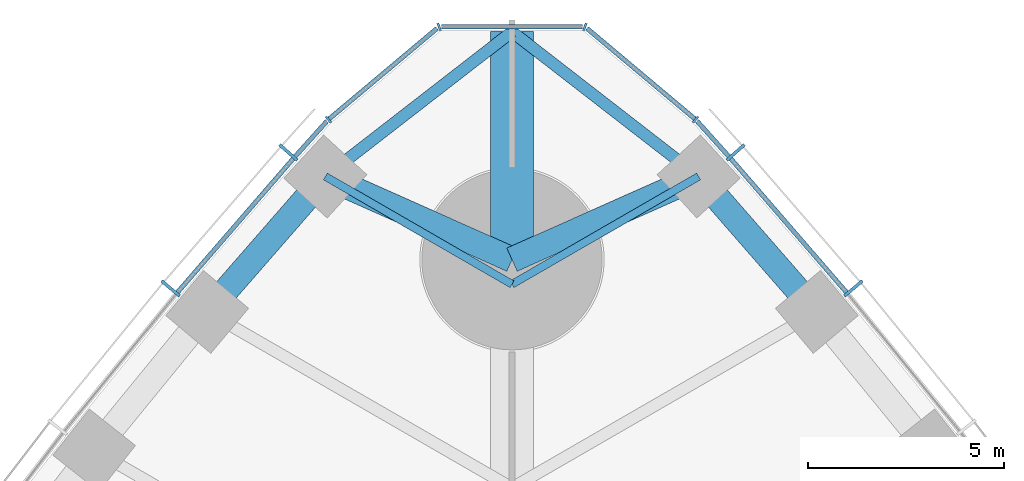
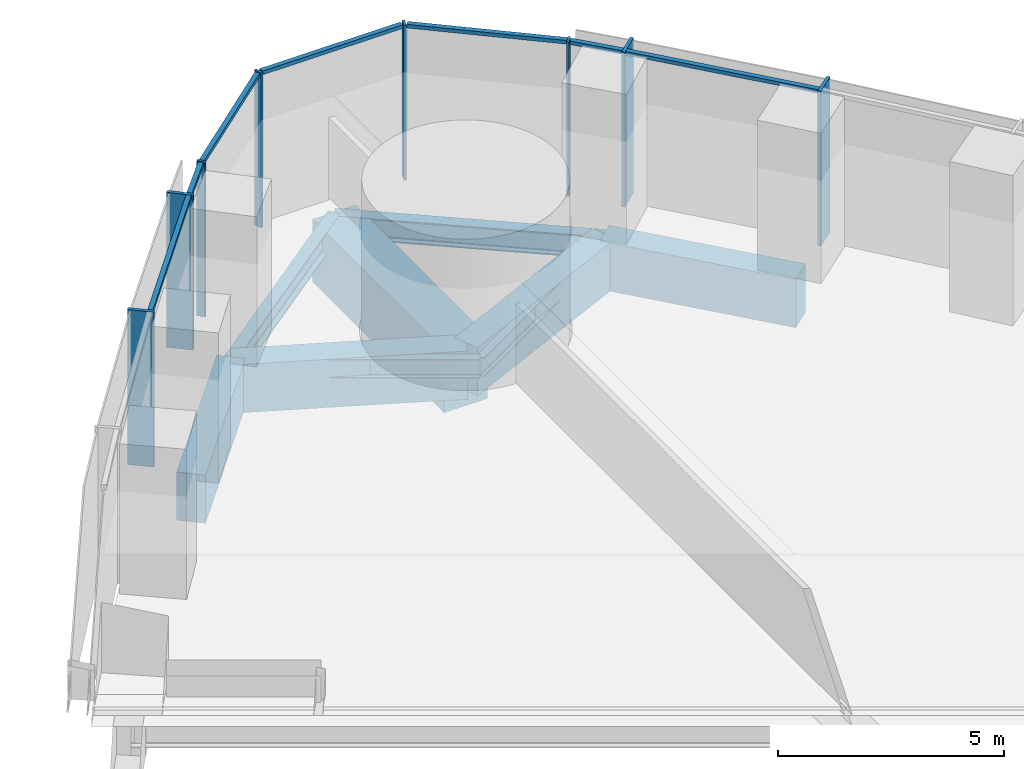
# One storey, part 7 of 19: 15 members, 9 beams, 3 elements without a shape of their own.
"""IFC4 building model written with IfcOpenShell, lengths in metres."""

from ifc_helpers import new_model, si_unit, direction, frame, origin, origin_2d, place, context, subcontext, project, spatial, rectangle, i_section, extrude, material, material_profile, profile_set, type_object, element, aggregate, save


model = new_model("IFC4")

# Units and contexts
model_context = context("Model", 3, precision=1e-05, world=origin(), true_north=direction((0.0, 1.0)))
body_context = subcontext(model_context, "Body", "Model", "MODEL_VIEW")
ifc_project = project(units=[si_unit("LENGTHUNIT", "METRE"), si_unit("AREAUNIT", "SQUARE_METRE"), si_unit("VOLUMEUNIT", "CUBIC_METRE"), si_unit("PLANEANGLEUNIT", "RADIAN"), si_unit("MASSUNIT", "GRAM", prefix="KILO")], contexts=[model_context])

# Site, building, storey
site_placement = place(None, origin())
site = spatial("IfcSite", under=ifc_project, at=site_placement, CompositionType="ELEMENT")
building_placement = place(site_placement, origin())
building = spatial("IfcBuilding", under=site, at=building_placement, Name="Trefoil Bronze Tower", CompositionType="ELEMENT")
storey_placement = place(building_placement, frame((0.0, 0.0, 20.699951171875)))
storey = spatial("IfcBuildingStorey", under=building, at=storey_placement, Name="L04", CompositionType="ELEMENT", Elevation=20.699951171875)

# Curtain wall, members
ifc_material_1 = material(Name="Tinted solar-control glass", Category="glass")
curtain_wall_type_1 = type_object("IfcCurtainWallType", Name="Bronze office curtain wall", PredefinedType="USERDEFINED", material=ifc_material_1)
curtain_wall_1_placement = place(storey_placement, origin())
curtain_wall_1 = element("IfcCurtainWall", 1, at=curtain_wall_1_placement, inside=storey, type_object=curtain_wall_type_1, Name="CW-A L04 F2", ObjectType="CURTAIN WALL", PredefinedType="USERDEFINED")
ifc_material_2 = material(Name="Bronze-finish aluminium", Category="aluminium")
ifc_material_profile_1 = material_profile(ifc_material_2, rectangle(XDim=0.60009765625, YDim=0.080078125, at=origin_2d()), Name="CW-A mullion")
ifc_profile_set_1 = profile_set([ifc_material_profile_1], Name="Bronze-finish aluminium")
member_type_1 = type_object("IfcMemberType", Name="Bronze office curtain wall mullion", PredefinedType="MULLION", material=ifc_profile_set_1)
member_1_placement = place(storey_placement, frame((8.709716796875, 36.265869140625, 0.0), z_axis=(0.0, 0.0, 1.0), x_axis=(-0.765729101889, -0.643163231629, 0.0)))
member_1 = element("IfcMember", 2, at=member_1_placement, type_object=member_type_1, Name="CW-A L04 F2 mullion 15", PredefinedType="MULLION", context=body_context, shape_type="SweptSolid", body=[
    extrude(rectangle(XDim=0.60009765625, YDim=0.080078125, at=origin_2d()), origin(), (0.0, 0.0, 1.0), 4.179931640625),
])
member_2_placement = place(storey_placement, frame((5.70654296875, 39.736328125, 0.0), z_axis=(0.0, 0.0, 1.0), x_axis=(-0.7499405861, -0.661505190698, 0.0)))
member_2 = element("IfcMember", 3, at=member_2_placement, type_object=member_type_1, Name="CW-A L04 F2 mullion 16", PredefinedType="MULLION", context=body_context, shape_type="SweptSolid", body=[
    extrude(rectangle(XDim=0.60009765625, YDim=0.080078125, at=origin_2d()), origin(), (0.0, 0.0, 1.0), 4.179931640625),
])

curtain_wall_2_placement = place(storey_placement, origin())
curtain_wall_2 = element("IfcCurtainWall", 4, at=curtain_wall_2_placement, inside=storey, type_object=curtain_wall_type_1, Name="CW-A L04 F3", ObjectType="CURTAIN WALL", PredefinedType="USERDEFINED")
member_3_placement = place(storey_placement, frame((-5.70654296875, 39.736328125, 0.0), z_axis=(0.0, 0.0, 1.0), x_axis=(0.7499405861, -0.661505190698, 0.0)))
member_3 = element("IfcMember", 5, at=member_3_placement, type_object=member_type_1, Name="CW-A L04 F3 mullion 2", PredefinedType="MULLION", context=body_context, shape_type="SweptSolid", body=[
    extrude(rectangle(XDim=0.60009765625, YDim=0.080078125, at=origin_2d()), origin(), (0.0, 0.0, 1.0), 4.179931640625),
])
member_4_placement = place(storey_placement, frame((-8.709716796875, 36.265869140625, 0.0), z_axis=(0.0, 0.0, 1.0), x_axis=(0.765729101889, -0.643163231629, 0.0)))
member_4 = element("IfcMember", 6, at=member_4_placement, type_object=member_type_1, Name="CW-A L04 F3 mullion 3", PredefinedType="MULLION", context=body_context, shape_type="SweptSolid", body=[
    extrude(rectangle(XDim=0.60009765625, YDim=0.080078125, at=origin_2d()), origin(), (0.0, 0.0, 1.0), 4.179931640625),
])

# Member
ifc_material_3 = material(Name="Bronze-finish aluminium", Category="aluminium")
ifc_material_profile_2 = material_profile(ifc_material_3, rectangle(XDim=0.1201171875, YDim=0.10009765625, at=origin_2d()), Name="CW-A transom")
ifc_profile_set_2 = profile_set([ifc_material_profile_2], Name="Bronze-finish aluminium")
member_type_2 = type_object("IfcMemberType", Name="Bronze office curtain wall transom", PredefinedType="USERDEFINED", material=ifc_profile_set_2)
member_5_placement = place(storey_placement, frame((8.529541015625, 36.16845703125, 4.130126953125), z_axis=(-0.654383303203, 0.75616300656, 0.0), x_axis=(-0.75616300656, -0.654383303203, 0.0)))
member_5 = element("IfcMember", 7, at=member_5_placement, type_object=member_type_2, Name="CW-A L04 F2 transom 15", ObjectType="TRANSOM", PredefinedType="USERDEFINED", context=body_context, shape_type="SweptSolid", body=[
    extrude(rectangle(XDim=0.1201171875, YDim=0.10009765625, at=origin_2d()), origin(), (0.0, 0.0, 1.0), 4.50244140625),
])

member_6_placement = place(storey_placement, frame((5.529052734375, 39.634521484375, 4.130126953125), z_axis=(-0.66858567461, 0.743635122695, 0.0), x_axis=(-0.743635122695, -0.66858567461, 0.0)))
member_6 = element("IfcMember", 8, at=member_6_placement, type_object=member_type_2, Name="CW-A L04 F2 transom 16", ObjectType="TRANSOM", PredefinedType="USERDEFINED", context=body_context, shape_type="SweptSolid", body=[
    extrude(rectangle(XDim=0.1201171875, YDim=0.10009765625, at=origin_2d()), origin(), (0.0, 0.0, 1.0), 1.210205078125),
])

aggregate(curtain_wall_1, [member_1, member_2, member_5, member_6])

member_7_placement = place(storey_placement, frame((-4.719970703125, 40.534423828125, 4.130126953125), z_axis=(-0.66858567461, -0.743635122695, 0.0), x_axis=(0.743635122695, -0.66858567461, 0.0)))
member_7 = element("IfcMember", 9, at=member_7_placement, type_object=member_type_2, Name="CW-A L04 F3 transom 1", ObjectType="TRANSOM", PredefinedType="USERDEFINED", context=body_context, shape_type="SweptSolid", body=[
    extrude(rectangle(XDim=0.1201171875, YDim=0.10009765625, at=origin_2d()), origin(), (0.0, 0.0, 1.0), 1.210205078125),
])

member_8_placement = place(storey_placement, frame((-5.583251953125, 39.572998046875, 4.130126953125), z_axis=(-0.654383303203, -0.75616300656, 0.0), x_axis=(0.75616300656, -0.654383303203, 0.0)))
member_8 = element("IfcMember", 10, at=member_8_placement, type_object=member_type_2, Name="CW-A L04 F3 transom 2", ObjectType="TRANSOM", PredefinedType="USERDEFINED", context=body_context, shape_type="SweptSolid", body=[
    extrude(rectangle(XDim=0.1201171875, YDim=0.10009765625, at=origin_2d()), origin(), (0.0, 0.0, 1.0), 4.50244140625),
])

aggregate(curtain_wall_2, [member_3, member_4, member_7, member_8])

# Curtain wall, members
ifc_material_4 = material(Name="Tinted solar-control glass", Category="glass")
curtain_wall_type_2 = type_object("IfcCurtainWallType", Name="Bronze rounded corner curtain wall", PredefinedType="USERDEFINED", material=ifc_material_4)
curtain_wall_3_placement = place(storey_placement, origin())
curtain_wall_3 = element("IfcCurtainWall", 11, at=curtain_wall_3_placement, inside=storey, type_object=curtain_wall_type_2, Name="CW-B L04 K2", ObjectType="CURTAIN WALL", PredefinedType="USERDEFINED")
ifc_material_5 = material(Name="Bronze-finish aluminium", Category="aluminium")
ifc_material_profile_3 = material_profile(ifc_material_5, rectangle(XDim=0.199951171875, YDim=0.06005859375, at=origin_2d()), Name="CW-B mullion")
ifc_profile_set_3 = profile_set([ifc_material_profile_3], Name="Bronze-finish aluminium")
member_type_3 = type_object("IfcMemberType", Name="Bronze rounded corner curtain wall mullion", PredefinedType="MULLION", material=ifc_profile_set_3)
member_9_placement = place(storey_placement, frame((4.68310546875, 40.573974609375, 0.0), z_axis=(0.0, 0.0, 1.0), x_axis=(-0.642787609687, -0.766044443119, 0.0)))
member_9 = element("IfcMember", 12, at=member_9_placement, type_object=member_type_3, Name="CW-B L04 K2 mullion 1", PredefinedType="MULLION", context=body_context, shape_type="SweptSolid", body=[
    extrude(rectangle(XDim=0.199951171875, YDim=0.06005859375, at=origin_2d()), origin(), (0.0, 0.0, 1.0), 4.179931640625),
])
member_10_placement = place(storey_placement, frame((1.8583984375, 42.9365234375, 0.0), z_axis=(0.0, 0.0, 1.0), x_axis=(-0.342020143326, -0.939692620786, 0.0)))
member_10 = element("IfcMember", 13, at=member_10_placement, type_object=member_type_3, Name="CW-B L04 K2 mullion 2", PredefinedType="MULLION", context=body_context, shape_type="SweptSolid", body=[
    extrude(rectangle(XDim=0.199951171875, YDim=0.06005859375, at=origin_2d()), origin(), (0.0, 0.0, 1.0), 4.179931640625),
])
member_11_placement = place(storey_placement, frame((-1.8583984375, 42.9365234375, 0.0), z_axis=(0.0, 0.0, 1.0), x_axis=(0.342020143326, -0.939692620786, 0.0)))
member_11 = element("IfcMember", 14, at=member_11_placement, type_object=member_type_3, Name="CW-B L04 K2 mullion 3", PredefinedType="MULLION", context=body_context, shape_type="SweptSolid", body=[
    extrude(rectangle(XDim=0.199951171875, YDim=0.06005859375, at=origin_2d()), origin(), (0.0, 0.0, 1.0), 4.179931640625),
])
member_12_placement = place(storey_placement, frame((-4.68310546875, 40.573974609375, 0.0), z_axis=(0.0, 0.0, 1.0), x_axis=(0.642787609687, -0.766044443119, 0.0)))
member_12 = element("IfcMember", 15, at=member_12_placement, type_object=member_type_3, Name="CW-B L04 K2 mullion 4", PredefinedType="MULLION", context=body_context, shape_type="SweptSolid", body=[
    extrude(rectangle(XDim=0.199951171875, YDim=0.06005859375, at=origin_2d()), origin(), (0.0, 0.0, 1.0), 4.179931640625),
])
ifc_material_6 = material(Name="Bronze-finish aluminium", Category="aluminium")
ifc_material_profile_4 = material_profile(ifc_material_6, rectangle(XDim=0.1201171875, YDim=0.10009765625, at=origin_2d()), Name="CW-B transom")
ifc_profile_set_4 = profile_set([ifc_material_profile_4], Name="Bronze-finish aluminium")
member_type_4 = type_object("IfcMemberType", Name="Bronze rounded corner curtain wall transom", PredefinedType="USERDEFINED", material=ifc_profile_set_4)
member_13_placement = place(storey_placement, frame((4.66015625, 40.59326171875, 4.130126953125), z_axis=(-0.766058606238, 0.642770730361, 0.0), x_axis=(-0.642770730361, -0.766058606238, 0.0)))
member_13 = element("IfcMember", 16, at=member_13_placement, type_object=member_type_4, Name="CW-B L04 K2 transom 1", ObjectType="TRANSOM", PredefinedType="USERDEFINED", context=body_context, shape_type="SweptSolid", body=[
    extrude(rectangle(XDim=0.1201171875, YDim=0.10009765625, at=origin_2d()), origin(), (0.0, 0.0, 1.0), 3.588134765625),
])
member_14_placement = place(storey_placement, frame((1.794189453125, 42.9423828125, 4.130126953125), z_axis=(-1.0, 0.0, 0.0), x_axis=(0.0, -1.0, 0.0)))
member_14 = element("IfcMember", 17, at=member_14_placement, type_object=member_type_4, Name="CW-B L04 K2 transom 2", ObjectType="TRANSOM", PredefinedType="USERDEFINED", context=body_context, shape_type="SweptSolid", body=[
    extrude(rectangle(XDim=0.1201171875, YDim=0.10009765625, at=origin_2d()), origin(), (0.0, 0.0, 1.0), 3.58837890625),
])
member_15_placement = place(storey_placement, frame((-1.911376953125, 42.899658203125, 4.130126953125), z_axis=(-0.766058606238, -0.642770730361, 0.0), x_axis=(0.642770730361, -0.766058606238, 0.0)))
member_15 = element("IfcMember", 18, at=member_15_placement, type_object=member_type_4, Name="CW-B L04 K2 transom 3", ObjectType="TRANSOM", PredefinedType="USERDEFINED", context=body_context, shape_type="SweptSolid", body=[
    extrude(rectangle(XDim=0.1201171875, YDim=0.10009765625, at=origin_2d()), origin(), (0.0, 0.0, 1.0), 3.588134765625),
])
aggregate(curtain_wall_3, [member_9, member_10, member_11, member_12, member_13, member_14, member_15])

# Beams
ifc_material_7 = material(Name="Concrete B80", Category="concrete")
ifc_material_profile_5 = material_profile(ifc_material_7, rectangle(XDim=1.10009765625, YDim=1.699951171875, at=origin_2d()), Name="RC 1100x1700")
ifc_profile_set_5 = profile_set([ifc_material_profile_5], Name="Concrete B80")
beam_type_1 = type_object("IfcBeamType", Name="Corner cantilever RC 1100x1700", PredefinedType="BEAM", material=ifc_profile_set_5)
beam_placement = place(storey_placement, frame((0.0, 37.0, -1.050048828125), z_axis=(0.0, 1.0, 0.0), x_axis=(-1.0, 0.0, 0.0)))
element("IfcBeam", 19, at=beam_placement, inside=storey, type_object=beam_type_1, Name="Corner cantilever K2 L04", PredefinedType="BEAM", context=body_context, shape_type="SweptSolid", body=[
    extrude(rectangle(XDim=1.10009765625, YDim=1.699951171875, at=origin_2d()), origin(), (0.0, 0.0, 1.0), 5.814208984375),
])
ifc_material_8 = material(Name="Steel C355", Category="steel")
ifc_material_profile_6 = material_profile(ifc_material_8, i_section(OverallWidth=0.300048828125, OverallDepth=0.60009765625, WebThickness=0.015380859375, FlangeThickness=0.030029296875, FilletRadius=0.027099609375, at=origin_2d()), Name="HEB 600")
ifc_profile_set_6 = profile_set([ifc_material_profile_6], Name="Steel C355")
beam_type_2 = type_object("IfcBeamType", Name="Corner edge beam HEB 600", PredefinedType="BEAM", material=ifc_profile_set_6)
for number, where, z_axis, x_axis, name in (
    (20, (4.76171875, 39.122314453125, -0.5), (-0.790289474622, 0.612733666696, 0.0), (-0.612733666696, -0.790289474622, 0.0), "Corner edge beam F2A L04"),
    (21, (-4.76171875, 39.122314453125, -0.5), (0.790289474622, 0.612733666696, 0.0), (-0.612733666696, 0.790289474622, 0.0), "Corner edge beam F3B L04"),
):
    element("IfcBeam", number, at=place(storey_placement, frame(where, z_axis=z_axis, x_axis=x_axis)), inside=storey, type_object=beam_type_2, Name=name, PredefinedType="BEAM", context=body_context, shape_type="SweptSolid", body=[
        extrude(i_section(OverallWidth=0.300048828125, OverallDepth=0.60009765625, WebThickness=0.015380859375, FlangeThickness=0.030029296875, FilletRadius=0.027099609375, at=origin_2d()), origin(), (0.0, 0.0, 1.0), 6.025390625),
    ])
ifc_material_9 = material(Name="Concrete B80", Category="concrete")
ifc_material_profile_7 = material_profile(ifc_material_9, rectangle(XDim=0.64990234375, YDim=1.300048828125, at=origin_2d()), Name="RC 650x1300")
ifc_profile_set_7 = profile_set([ifc_material_profile_7], Name="Concrete B80")
beam_type_3 = type_object("IfcBeamType", Name="End spandrel beam RC 650x1300", PredefinedType="SPANDREL", material=ifc_profile_set_7)
for number, where, z_axis, x_axis, name in (
    (22, (4.76171875, 39.122314453125, -0.849853515625), (-0.913384257879, -0.407098510754, 0.0), (0.407098510754, -0.913384257879, 0.0), "Spandrel F2.16 L04"),
    (23, (0.0, 37.0, -0.849853515625), (-0.913384257879, 0.407098510754, 0.0), (-0.407098510754, -0.913384257879, 0.0), "Spandrel F3.1 L04"),
):
    element("IfcBeam", number, at=place(storey_placement, frame(where, z_axis=z_axis, x_axis=x_axis)), inside=storey, type_object=beam_type_3, Name=name, PredefinedType="SPANDREL", context=body_context, shape_type="SweptSolid", body=[
        extrude(rectangle(XDim=0.64990234375, YDim=1.300048828125, at=origin_2d()), origin(), (0.0, 0.0, 1.0), 5.21337890625),
    ])
ifc_material_10 = material(Name="Steel C355", Category="steel")
ifc_material_profile_8 = material_profile(ifc_material_10, i_section(OverallWidth=0.199951171875, OverallDepth=0.5, WebThickness=0.01025390625, FlangeThickness=0.01611328125, FilletRadius=0.02099609375, at=origin_2d()), Name="IPE 500")
ifc_profile_set_8 = profile_set([ifc_material_profile_8], Name="Steel C355")
beam_type_4 = type_object("IfcBeamType", Name="Floor beam IPE 500", PredefinedType="BEAM", material=ifc_profile_set_8)
for number, where, z_axis, x_axis, name in (
    (24, (4.76171875, 39.122314453125, -0.449951171875), (-0.866018475376, -0.500012000164, 0.0), (0.500012000164, -0.866018475376, 0.0), "Floor beam F2/+7 L04"),
    (25, (-4.76171875, 39.122314453125, -0.449951171875), (0.866018475376, -0.500012000164, 0.0), (0.500012000164, 0.866018475376, 0.0), "Floor beam F3/-7 L04"),
):
    element("IfcBeam", number, at=place(storey_placement, frame(where, z_axis=z_axis, x_axis=x_axis)), inside=storey, type_object=beam_type_4, Name=name, PredefinedType="BEAM", context=body_context, shape_type="SweptSolid", body=[
        extrude(i_section(OverallWidth=0.199951171875, OverallDepth=0.5, WebThickness=0.01025390625, FlangeThickness=0.01611328125, FilletRadius=0.02099609375, at=origin_2d()), origin(), (0.0, 0.0, 1.0), 5.498291015625),
    ])
ifc_material_11 = material(Name="Concrete B80", Category="concrete")
ifc_material_profile_9 = material_profile(ifc_material_11, rectangle(XDim=0.64990234375, YDim=1.300048828125, at=origin_2d()), Name="RC 650x1300")
ifc_profile_set_9 = profile_set([ifc_material_profile_9], Name="Concrete B80")
beam_type_5 = type_object("IfcBeamType", Name="Spandrel beam RC 650x1300", PredefinedType="SPANDREL", material=ifc_profile_set_9)
for number, where, z_axis, x_axis, name in (
    (26, (7.7763671875, 35.666748046875, -0.849853515625), (-0.657395767989, 0.753545489158, 0.0), (-0.753545489158, -0.657395767989, 0.0), "Spandrel F2.15 L04"),
    (27, (-4.76171875, 39.122314453125, -0.849853515625), (-0.657395767989, -0.753545489158, 0.0), (0.753545489158, -0.657395767989, 0.0), "Spandrel F3.2 L04"),
):
    element("IfcBeam", number, at=place(storey_placement, frame(where, z_axis=z_axis, x_axis=x_axis)), inside=storey, type_object=beam_type_5, Name=name, PredefinedType="SPANDREL", context=body_context, shape_type="SweptSolid", body=[
        extrude(rectangle(XDim=0.64990234375, YDim=1.300048828125, at=origin_2d()), origin(), (0.0, 0.0, 1.0), 4.585693359375),
    ])

save(model, "model.ifc")
